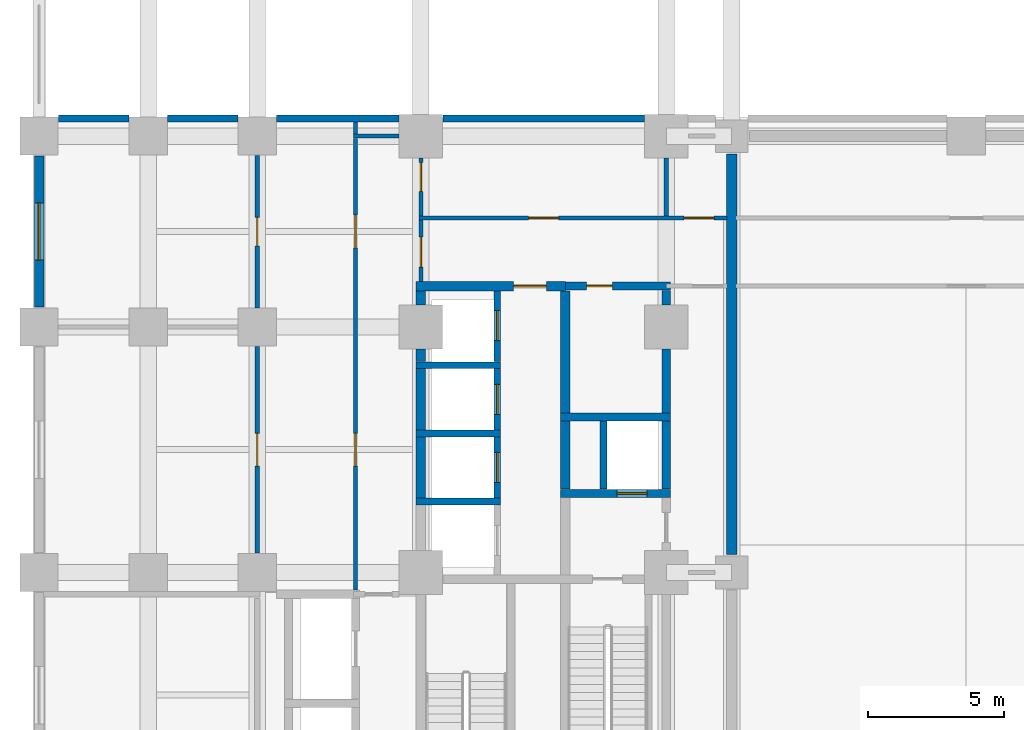
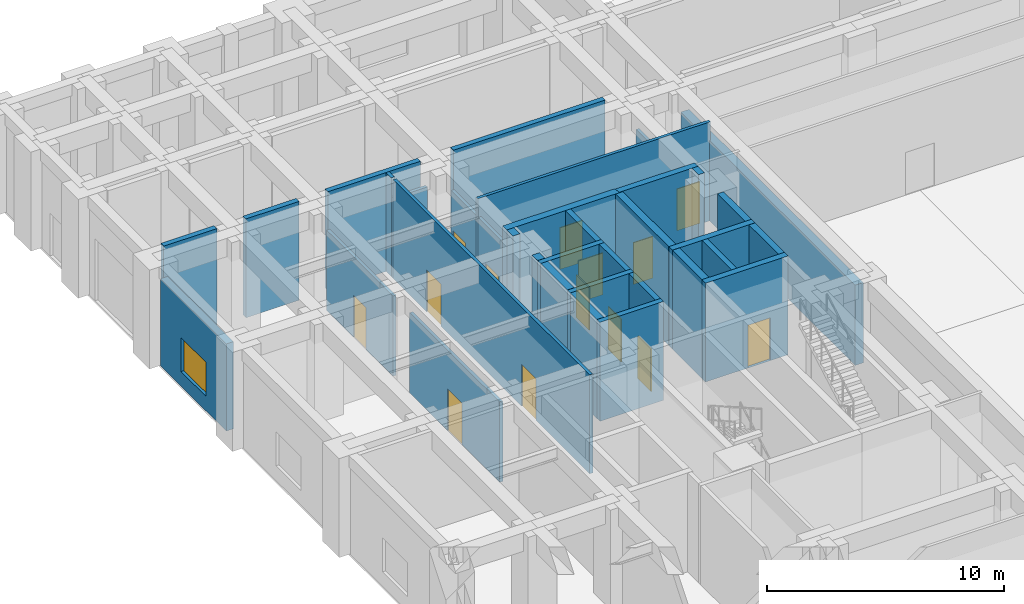
# One storey, part 9 of 20: 35 walls, 14 doors, 1 window, 15 openings.
"""IFC4 building model written with IfcOpenShell, lengths in metres."""

from ifc_helpers import new_model, si_unit, direction, frame, frame_2d, origin, place, context, subcontext, project, spatial, rectangle, extrude, material, layer, layer_set, type_object, element, fill, save


model = new_model("IFC4")

# Units and contexts
model_context = context("Model", 3, precision=1e-05, world=origin(), true_north=direction((0.0, 1.0)))
body_context = subcontext(model_context, "Body", "Model", "MODEL_VIEW")
ifc_project = project(units=[si_unit("LENGTHUNIT", "METRE"), si_unit("AREAUNIT", "SQUARE_METRE"), si_unit("VOLUMEUNIT", "CUBIC_METRE"), si_unit("PLANEANGLEUNIT", "RADIAN"), si_unit("MASSUNIT", "GRAM", prefix="KILO")], contexts=[model_context])

# Site, building, storey
site_placement = place(None, origin())
site = spatial("IfcSite", under=ifc_project, at=site_placement, CompositionType="ELEMENT")
building_placement = place(site_placement, origin())
building = spatial("IfcBuilding", under=site, at=building_placement, Name="Zulmaris Gate Convention Tower", CompositionType="ELEMENT")
storey_placement = place(building_placement, origin())
storey = spatial("IfcBuildingStorey", under=building, at=storey_placement, Name="L00", CompositionType="ELEMENT", Elevation=0.0)

# Walls
ifc_material_1 = material(Name="Concrete C50/60", Category="concrete")
ifc_layer_1 = layer(ifc_material_1, 0.25, Name="Concrete C50/60")
ifc_layer_set_1 = layer_set([ifc_layer_1], Name="Concrete C50/60")
wall_type_1 = type_object("IfcWallType", Name="CORE-250", PredefinedType="SOLIDWALL", material=ifc_layer_set_1)
for number, where, z_axis, x_axis, name in (
    (1, (-20.175048828125, 2.60009765625, 0.0), (0.0, 0.0, 1.0), (1.0, 0.0, 0.0), "WL-L00-016"),
    (2, (-20.175048828125, 5.10009765625, 0.0), (0.0, 0.0, 1.0), (1.0, 0.0, 0.0), "WL-L00-019"),
    (3, (-20.175048828125, 7.60009765625, 0.0), (0.0, 0.0, 1.0), (1.0, 0.0, 0.0), "WL-L00-022"),
):
    element("IfcWall", number, at=place(storey_placement, frame(where, z_axis=z_axis, x_axis=x_axis)), inside=storey, type_object=wall_type_1, Name=name, PredefinedType="SOLIDWALL", context=body_context, shape_type="SweptSolid", body=[
        extrude(rectangle(XDim=3.10009765625, YDim=0.25, at=frame_2d((1.550048828125, 0.0))), origin(), (0.0, 0.0, 1.0), 5.08984375),
    ])
for number, where, z_axis, x_axis, name in (
    (4, (-33.2958984375, 16.64990234375, 0.0), (0.0, 0.0, 1.0), (1.0, 0.0, 0.0), "WL-L00-027"),
    (5, (-29.2958984375, 16.64990234375, 0.0), (0.0, 0.0, 1.0), (1.0, 0.0, 0.0), "WL-L00-027S1"),
):
    element("IfcWall", number, at=place(storey_placement, frame(where, z_axis=z_axis, x_axis=x_axis)), inside=storey, type_object=wall_type_1, Name=name, PredefinedType="SOLIDWALL", context=body_context, shape_type="SweptSolid", body=[
        extrude(rectangle(XDim=2.591796875, YDim=0.25, at=frame_2d((1.2958984375, 0.0))), origin(), (0.0, 0.0, 1.0), 5.08984375),
    ])
wall_1_placement = place(storey_placement, frame((-25.2958984375, 16.64990234375, 0.0), z_axis=(0.0, 0.0, 1.0), x_axis=(1.0, 0.0, 0.0)))
element("IfcWall", 6, at=wall_1_placement, inside=storey, type_object=wall_type_1, Name="WL-L00-027S2", PredefinedType="SOLIDWALL", context=body_context, shape_type="SweptSolid", body=[
    extrude(rectangle(XDim=4.491943359375, YDim=0.25, at=frame_2d((2.24609375, 0.0))), origin(), (0.0, 0.0, 1.0), 5.08984375),
])
wall_2_placement = place(storey_placement, frame((-19.196044921875, 16.64990234375, 0.0), z_axis=(0.0, 0.0, 1.0), x_axis=(1.0, 0.0, 0.0)))
element("IfcWall", 7, at=wall_2_placement, inside=storey, type_object=wall_type_1, Name="WL-L00-027S3", PredefinedType="SOLIDWALL", context=body_context, shape_type="SweptSolid", body=[
    extrude(rectangle(XDim=7.39208984375, YDim=0.25, at=frame_2d((3.696044921875, 0.0))), origin(), (0.0, 0.0, 1.0), 5.08984375),
])

# Wall, opening, door
wall_3_placement = place(storey_placement, frame((-17.199951171875, 2.72705078125, 0.0), z_axis=(0.0, 0.0, 1.0), x_axis=(0.0, 1.0, 0.0)))
wall_3 = element("IfcWall", 8, at=wall_3_placement, inside=storey, type_object=wall_type_1, Name="WL-L00-076", PredefinedType="SOLIDWALL", context=body_context, shape_type="SweptSolid", body=[
    extrude(rectangle(XDim=2.245849609375, YDim=0.25, at=frame_2d((1.123046875, 0.0))), origin(), (0.0, 0.0, 1.0), 5.08984375),
])
opening_1_placement = place(wall_3_placement, frame((0.572998046875, 0.0, 0.0)))
opening_1 = element("IfcOpeningElement", 9, at=opening_1_placement, cuts=wall_3, Name="Opening D-06", PredefinedType="OPENING", context=body_context, shape_type="SweptSolid", body=[
    extrude(rectangle(XDim=1.10009765625, YDim=2.199951171875, at=frame_2d((0.550048828125, 1.10009765625))), frame((0.0, 0.135009765625, 0.0), z_axis=(0.0, -1.0, 0.0), x_axis=(1.0, 0.0, 0.0)), (0.0, 0.0, 1.0), 0.27001953125),
])
ifc_material_2 = material(Name="Brushed Stainless Steel", Category="steel")
door_type_1 = type_object("IfcDoorType", Name="LD-1100", OperationType="NOTDEFINED", PredefinedType="DOOR", material=ifc_material_2)
door_1_placement = place(opening_1_placement, origin())
door_1 = element("IfcDoor", 10, at=door_1_placement, inside=storey, type_object=door_type_1, Name="L00 Lift Landing Door LP-02 13", OperationType="SLIDING_TO_LEFT", OverallHeight=2.199951171875, OverallWidth=1.10009765625, PredefinedType="DOOR", context=body_context, shape_type="SweptSolid", body=[
    extrude(rectangle(XDim=1.10009765625, YDim=2.199951171875, at=frame_2d((0.550048828125, 1.10009765625))), frame((0.0, 0.02490234375, 0.0), z_axis=(0.0, -1.0, 0.0), x_axis=(1.0, 0.0, 0.0)), (0.0, 0.0, 1.0), 0.050048828125),
])
fill(opening_1, door_1)

wall_4_placement = place(storey_placement, frame((-17.199951171875, 5.22705078125, 0.0), z_axis=(0.0, 0.0, 1.0), x_axis=(0.0, 1.0, 0.0)))
wall_4 = element("IfcWall", 11, at=wall_4_placement, inside=storey, type_object=wall_type_1, Name="WL-L00-077", PredefinedType="SOLIDWALL", context=body_context, shape_type="SweptSolid", body=[
    extrude(rectangle(XDim=2.245849609375, YDim=0.25, at=frame_2d((1.123046875, 0.0))), origin(), (0.0, 0.0, 1.0), 5.08984375),
])
opening_2_placement = place(wall_4_placement, frame((0.572998046875, 0.0, 0.0)))
opening_2 = element("IfcOpeningElement", 12, at=opening_2_placement, cuts=wall_4, Name="Opening D-06", PredefinedType="OPENING", context=body_context, shape_type="SweptSolid", body=[
    extrude(rectangle(XDim=1.10009765625, YDim=2.199951171875, at=frame_2d((0.550048828125, 1.10009765625))), frame((0.0, 0.135009765625, 0.0), z_axis=(0.0, -1.0, 0.0), x_axis=(1.0, 0.0, 0.0)), (0.0, 0.0, 1.0), 0.27001953125),
])
door_2_placement = place(opening_2_placement, origin())
door_2 = element("IfcDoor", 13, at=door_2_placement, inside=storey, type_object=door_type_1, Name="L00 Lift Landing Door LP-03 14", OperationType="SLIDING_TO_LEFT", OverallHeight=2.199951171875, OverallWidth=1.10009765625, PredefinedType="DOOR", context=body_context, shape_type="SweptSolid", body=[
    extrude(rectangle(XDim=1.10009765625, YDim=2.199951171875, at=frame_2d((0.550048828125, 1.10009765625))), frame((0.0, 0.02490234375, 0.0), z_axis=(0.0, -1.0, 0.0), x_axis=(1.0, 0.0, 0.0)), (0.0, 0.0, 1.0), 0.050048828125),
])
fill(opening_2, door_2)

wall_5_placement = place(storey_placement, frame((-17.199951171875, 7.72705078125, 0.0), z_axis=(0.0, 0.0, 1.0), x_axis=(0.0, 1.0, 0.0)))
wall_5 = element("IfcWall", 14, at=wall_5_placement, inside=storey, type_object=wall_type_1, Name="WL-L00-078", PredefinedType="SOLIDWALL", context=body_context, shape_type="SweptSolid", body=[
    extrude(rectangle(XDim=2.595947265625, YDim=0.25, at=frame_2d((1.2978515625, 0.0))), origin(), (0.0, 0.0, 1.0), 5.08984375),
])
opening_3_placement = place(wall_5_placement, frame((0.77294921875, 0.0, 0.0)))
opening_3 = element("IfcOpeningElement", 15, at=opening_3_placement, cuts=wall_5, Name="Opening D-06", PredefinedType="OPENING", context=body_context, shape_type="SweptSolid", body=[
    extrude(rectangle(XDim=1.10009765625, YDim=2.199951171875, at=frame_2d((0.550048828125, 1.10009765625))), frame((0.0, 0.135009765625, 0.0), z_axis=(0.0, -1.0, 0.0), x_axis=(1.0, 0.0, 0.0)), (0.0, 0.0, 1.0), 0.27001953125),
])
door_3_placement = place(opening_3_placement, origin())
door_3 = element("IfcDoor", 16, at=door_3_placement, inside=storey, type_object=door_type_1, Name="L00 Lift Landing Door LP-04 15", OperationType="SLIDING_TO_LEFT", OverallHeight=2.199951171875, OverallWidth=1.10009765625, PredefinedType="DOOR", context=body_context, shape_type="SweptSolid", body=[
    extrude(rectangle(XDim=1.10009765625, YDim=2.199951171875, at=frame_2d((0.550048828125, 1.10009765625))), frame((0.0, 0.02490234375, 0.0), z_axis=(0.0, -1.0, 0.0), x_axis=(1.0, 0.0, 0.0)), (0.0, 0.0, 1.0), 0.050048828125),
])
fill(opening_3, door_3)

# Wall
wall_6_placement = place(storey_placement, frame((-13.300048828125, 3.052001953125, 0.0), z_axis=(0.0, 0.0, 1.0), x_axis=(0.0, 1.0, 0.0)))
element("IfcWall", 17, at=wall_6_placement, inside=storey, type_object=wall_type_1, Name="WL-L00-084", PredefinedType="SOLIDWALL", context=body_context, shape_type="SweptSolid", body=[
    extrude(rectangle(XDim=2.49609375, YDim=0.25, at=frame_2d((1.248046875, 0.0))), origin(), (0.0, 0.0, 1.0), 5.08984375),
])

# Wall, opening, door
ifc_layer_2 = layer(ifc_material_1, 0.300048828125, Name="Concrete C50/60")
ifc_layer_set_2 = layer_set([ifc_layer_2], Name="Concrete C50/60")
wall_type_2 = type_object("IfcWallType", Name="CORE-300", PredefinedType="SHEAR", material=ifc_layer_set_2)
wall_7_placement = place(storey_placement, frame((-14.875, 2.89990234375, 0.0), z_axis=(0.0, 0.0, 1.0), x_axis=(1.0, 0.0, 0.0)))
wall_7 = element("IfcWall", 18, at=wall_7_placement, inside=storey, type_object=wall_type_2, Name="WL-L00-017", PredefinedType="SHEAR", context=body_context, shape_type="SweptSolid", body=[
    extrude(rectangle(XDim=4.02490234375, YDim=0.300048828125, at=frame_2d((2.012451171875, 0.0))), origin(), (0.0, 0.0, 1.0), 5.08984375),
])
opening_4_placement = place(wall_7_placement, frame((2.074951171875, 0.0, 0.0)))
opening_4 = element("IfcOpeningElement", 19, at=opening_4_placement, cuts=wall_7, Name="Opening D-06", PredefinedType="OPENING", context=body_context, shape_type="SweptSolid", body=[
    extrude(rectangle(XDim=1.10009765625, YDim=2.199951171875, at=frame_2d((0.550048828125, 1.10009765625))), frame((0.0, 0.16015625, 0.0), z_axis=(0.0, -1.0, 0.0), x_axis=(1.0, 0.0, 0.0)), (0.0, 0.0, 1.0), 0.320068359375),
])
door_4_placement = place(opening_4_placement, origin())
door_4 = element("IfcDoor", 20, at=door_4_placement, inside=storey, type_object=door_type_1, Name="L00 Lift Landing Door LF-01 03", OperationType="SLIDING_TO_LEFT", OverallHeight=2.199951171875, OverallWidth=1.10009765625, PredefinedType="DOOR", context=body_context, shape_type="SweptSolid", body=[
    extrude(rectangle(XDim=1.10009765625, YDim=2.199951171875, at=frame_2d((0.550048828125, 1.10009765625))), frame((0.0, 0.02490234375, 0.0), z_axis=(0.0, -1.0, 0.0), x_axis=(1.0, 0.0, 0.0)), (0.0, 0.0, 1.0), 0.050048828125),
])
fill(opening_4, door_4)

# Wall
wall_8_placement = place(storey_placement, frame((-14.875, 5.699951171875, 0.0), z_axis=(0.0, 0.0, 1.0), x_axis=(1.0, 0.0, 0.0)))
element("IfcWall", 21, at=wall_8_placement, inside=storey, type_object=wall_type_2, Name="WL-L00-020", PredefinedType="SHEAR", context=body_context, shape_type="SweptSolid", body=[
    extrude(rectangle(XDim=4.02490234375, YDim=0.300048828125, at=frame_2d((2.012451171875, 0.0))), origin(), (0.0, 0.0, 1.0), 5.08984375),
])

# Wall, opening, door
wall_9_placement = place(storey_placement, frame((-14.699951171875, 10.5, 0.0), z_axis=(0.0, 0.0, 1.0), x_axis=(1.0, 0.0, 0.0)))
wall_9 = element("IfcWall", 22, at=wall_9_placement, inside=storey, type_object=wall_type_2, Name="WL-L00-024", PredefinedType="SHEAR", context=body_context, shape_type="SweptSolid", body=[
    extrude(rectangle(XDim=3.849853515625, YDim=0.300048828125, at=frame_2d((1.9248046875, 0.0))), origin(), (0.0, 0.0, 1.0), 5.08984375),
])
opening_5_placement = place(wall_9_placement, frame((0.77490234375, 0.0, 0.0)))
opening_5 = element("IfcOpeningElement", 23, at=opening_5_placement, cuts=wall_9, Name="Opening D-11", PredefinedType="OPENING", context=body_context, shape_type="SweptSolid", body=[
    extrude(rectangle(XDim=0.949951171875, YDim=2.14990234375, at=frame_2d((0.47509765625, 1.074951171875))), frame((0.0, 0.16015625, 0.0), z_axis=(0.0, -1.0, 0.0), x_axis=(1.0, 0.0, 0.0)), (0.0, 0.0, 1.0), 0.320068359375),
])
ifc_material_3 = material(Name="Fire-Rated Timber", Category="wood")
door_type_2 = type_object("IfcDoorType", Name="DR-950-FD", OperationType="NOTDEFINED", PredefinedType="DOOR", material=ifc_material_3)
door_5_placement = place(opening_5_placement, origin())
door_5 = element("IfcDoor", 24, at=door_5_placement, inside=storey, type_object=door_type_2, Name="L00 Core Archive Door 07", OperationType="SINGLE_SWING_RIGHT", OverallHeight=2.14990234375, OverallWidth=0.949951171875, PredefinedType="DOOR", context=body_context, shape_type="SweptSolid", body=[
    extrude(rectangle(XDim=0.949951171875, YDim=2.14990234375, at=frame_2d((0.47509765625, 1.074951171875))), frame((0.0, 0.02490234375, 0.0), z_axis=(0.0, -1.0, 0.0), x_axis=(1.0, 0.0, 0.0)), (0.0, 0.0, 1.0), 0.050048828125),
])
fill(opening_5, door_5)

# Walls
wall_10_placement = place(storey_placement, frame((-11.0, 3.052001953125, 0.0), z_axis=(0.0, 0.0, 1.0), x_axis=(0.0, 1.0, 0.0)))
element("IfcWall", 25, at=wall_10_placement, inside=storey, type_object=wall_type_2, Name="WL-L00-088", PredefinedType="SHEAR", context=body_context, shape_type="SweptSolid", body=[
    extrude(rectangle(XDim=2.49609375, YDim=0.300048828125, at=frame_2d((1.248046875, 0.0))), origin(), (0.0, 0.0, 1.0), 5.08984375),
])
wall_11_placement = place(storey_placement, frame((-11.0, 5.85205078125, 0.0), z_axis=(0.0, 0.0, 1.0), x_axis=(0.0, 1.0, 0.0)))
element("IfcWall", 26, at=wall_11_placement, inside=storey, type_object=wall_type_2, Name="WL-L00-089", PredefinedType="SHEAR", context=body_context, shape_type="SweptSolid", body=[
    extrude(rectangle(XDim=2.343994140625, YDim=0.300048828125, at=frame_2d((1.171875, 0.0))), origin(), (0.0, 0.0, 1.0), 5.08984375),
])
wall_12_placement = place(storey_placement, frame((-11.0, 9.803955078125, 0.0), z_axis=(0.0, 0.0, 1.0), x_axis=(0.0, 1.0, 0.0)))
element("IfcWall", 27, at=wall_12_placement, inside=storey, type_object=wall_type_2, Name="WL-L00-089S1", PredefinedType="SHEAR", context=body_context, shape_type="SweptSolid", body=[
    extrude(rectangle(XDim=0.5439453125, YDim=0.300048828125, at=frame_2d((0.27197265625, 0.0))), origin(), (0.0, 0.0, 1.0), 5.08984375),
])

# Wall, opening, door
ifc_material_4 = material(Name="Concrete C55/67", Category="concrete")
ifc_layer_3 = layer(ifc_material_4, 0.35009765625, Name="Concrete C55/67")
ifc_layer_set_3 = layer_set([ifc_layer_3], Name="Concrete C55/67")
wall_type_3 = type_object("IfcWallType", Name="CORE-350", PredefinedType="SHEAR", material=ifc_layer_set_3)
wall_13_placement = place(storey_placement, frame((-20.175048828125, 10.5, 0.0), z_axis=(0.0, 0.0, 1.0), x_axis=(1.0, 0.0, 0.0)))
wall_13 = element("IfcWall", 28, at=wall_13_placement, inside=storey, type_object=wall_type_3, Name="WL-L00-023", PredefinedType="SHEAR", context=body_context, shape_type="SweptSolid", body=[
    extrude(rectangle(XDim=5.47509765625, YDim=0.35009765625, at=frame_2d((2.737548828125, 0.0))), origin(), (0.0, 0.0, 1.0), 5.08984375),
])
opening_6_placement = place(wall_13_placement, frame((3.574951171875, 0.0, 0.0)))
opening_6 = element("IfcOpeningElement", 29, at=opening_6_placement, cuts=wall_13, Name="Opening D-13", PredefinedType="OPENING", context=body_context, shape_type="SweptSolid", body=[
    extrude(rectangle(XDim=1.199951171875, YDim=2.14990234375, at=frame_2d((0.60009765625, 1.074951171875))), frame((0.0, 0.18505859375, 0.0), z_axis=(0.0, -1.0, 0.0), x_axis=(1.0, 0.0, 0.0)), (0.0, 0.0, 1.0), 0.3701171875),
])
ifc_material_5 = material(Name="Fire-Rated Steel", Category="steel")
door_type_3 = type_object("IfcDoorType", Name="DR-1200-FD", OperationType="NOTDEFINED", PredefinedType="DOOR", material=ifc_material_5)
door_6_placement = place(opening_6_placement, origin())
door_6 = element("IfcDoor", 30, at=door_6_placement, inside=storey, type_object=door_type_3, Name="L00 Low-Rise Lift Lobby Door 11", OperationType="SINGLE_SWING_RIGHT", OverallHeight=2.14990234375, OverallWidth=1.199951171875, PredefinedType="DOOR", context=body_context, shape_type="SweptSolid", body=[
    extrude(rectangle(XDim=1.199951171875, YDim=2.14990234375, at=frame_2d((0.60009765625, 1.074951171875))), frame((0.0, 0.02490234375, 0.0), z_axis=(0.0, -1.0, 0.0), x_axis=(1.0, 0.0, 0.0)), (0.0, 0.0, 1.0), 0.050048828125),
])
fill(opening_6, door_6)

# Walls
for number, where, z_axis, x_axis, name in (
    (31, (-20.0, 2.72705078125, 0.0), (0.0, 0.0, 1.0), (0.0, 1.0, 0.0), "WL-L00-072"),
    (32, (-20.0, 5.22705078125, 0.0), (0.0, 0.0, 1.0), (0.0, 1.0, 0.0), "WL-L00-073"),
):
    element("IfcWall", number, at=place(storey_placement, frame(where, z_axis=z_axis, x_axis=x_axis)), inside=storey, type_object=wall_type_3, Name=name, PredefinedType="SHEAR", context=body_context, shape_type="SweptSolid", body=[
        extrude(rectangle(XDim=2.245849609375, YDim=0.35009765625, at=frame_2d((1.123046875, 0.0))), origin(), (0.0, 0.0, 1.0), 5.08984375),
    ])
wall_14_placement = place(storey_placement, frame((-20.0, 7.72705078125, 0.0), z_axis=(0.0, 0.0, 1.0), x_axis=(0.0, 1.0, 0.0)))
element("IfcWall", 33, at=wall_14_placement, inside=storey, type_object=wall_type_3, Name="WL-L00-074", PredefinedType="SHEAR", context=body_context, shape_type="SweptSolid", body=[
    extrude(rectangle(XDim=0.468994140625, YDim=0.35009765625, at=frame_2d((0.234375, 0.0))), origin(), (0.0, 0.0, 1.0), 5.08984375),
])
wall_15_placement = place(storey_placement, frame((-20.0, 9.803955078125, 0.0), z_axis=(0.0, 0.0, 1.0), x_axis=(0.0, 1.0, 0.0)))
element("IfcWall", 34, at=wall_15_placement, inside=storey, type_object=wall_type_3, Name="WL-L00-074S1", PredefinedType="SHEAR", context=body_context, shape_type="SweptSolid", body=[
    extrude(rectangle(XDim=0.51904296875, YDim=0.35009765625, at=frame_2d((0.259521484375, 0.0))), origin(), (0.0, 0.0, 1.0), 5.08984375),
])
wall_16_placement = place(storey_placement, frame((-14.699951171875, 3.052001953125, 0.0), z_axis=(0.0, 0.0, 1.0), x_axis=(0.0, 1.0, 0.0)))
element("IfcWall", 35, at=wall_16_placement, inside=storey, type_object=wall_type_3, Name="WL-L00-082", PredefinedType="SHEAR", context=body_context, shape_type="SweptSolid", body=[
    extrude(rectangle(XDim=2.49609375, YDim=0.35009765625, at=frame_2d((1.248046875, 0.0))), origin(), (0.0, 0.0, 1.0), 5.08984375),
])
wall_17_placement = place(storey_placement, frame((-14.699951171875, 5.85205078125, 0.0), z_axis=(0.0, 0.0, 1.0), x_axis=(0.0, 1.0, 0.0)))
element("IfcWall", 36, at=wall_17_placement, inside=storey, type_object=wall_type_3, Name="WL-L00-083", PredefinedType="SHEAR", context=body_context, shape_type="SweptSolid", body=[
    extrude(rectangle(XDim=4.470947265625, YDim=0.35009765625, at=frame_2d((2.2353515625, 0.0))), origin(), (0.0, 0.0, 1.0), 5.08984375),
])

# Wall, openings, doors
ifc_material_6 = material(Name="Gypsum Metal Stud Partition")
ifc_layer_4 = layer(ifc_material_6, 0.14990234375, Name="Gypsum Metal Stud Partition")
ifc_layer_set_4 = layer_set([ifc_layer_4], Name="Gypsum Metal Stud Partition")
wall_type_4 = type_object("IfcWallType", Name="PART-150", PredefinedType="PARTITIONING", material=ifc_layer_set_4)
wall_18_placement = place(storey_placement, frame((-20.074951171875, 13.0, 0.0), z_axis=(0.0, 0.0, 1.0), x_axis=(1.0, 0.0, 0.0)))
wall_18 = element("IfcWall", 37, at=wall_18_placement, inside=storey, type_object=wall_type_4, Name="WL-L00-057", PredefinedType="PARTITIONING", context=body_context, shape_type="SweptSolid", body=[
    extrude(rectangle(XDim=11.31005859375, YDim=0.14990234375, at=frame_2d((5.655029296875, 0.0))), origin(), (0.0, 0.0, 1.0), 5.08984375),
])
opening_7_placement = place(wall_18_placement, frame((4.02490234375, 0.0, 0.0)))
opening_7 = element("IfcOpeningElement", 38, at=opening_7_placement, cuts=wall_18, Name="Opening D-08", PredefinedType="OPENING", context=body_context, shape_type="SweptSolid", body=[
    extrude(rectangle(XDim=1.10009765625, YDim=2.14990234375, at=frame_2d((0.550048828125, 1.074951171875))), frame((0.0, 0.0849609375, 0.0), z_axis=(0.0, -1.0, 0.0), x_axis=(1.0, 0.0, 0.0)), (0.0, 0.0, 1.0), 0.169921875),
])
opening_8_placement = place(wall_18_placement, frame((9.72509765625, 0.0, 0.0)))
opening_8 = element("IfcOpeningElement", 39, at=opening_8_placement, cuts=wall_18, Name="Opening D-08", PredefinedType="OPENING", context=body_context, shape_type="SweptSolid", body=[
    extrude(rectangle(XDim=1.10009765625, YDim=2.14990234375, at=frame_2d((0.550048828125, 1.074951171875))), frame((0.0, 0.0849609375, 0.0), z_axis=(0.0, -1.0, 0.0), x_axis=(1.0, 0.0, 0.0)), (0.0, 0.0, 1.0), 0.169921875),
])
door_type_4 = type_object("IfcDoorType", Name="DR-1100-FD", OperationType="NOTDEFINED", PredefinedType="DOOR", material=ifc_material_5)
door_7_placement = place(opening_7_placement, origin())
door_7 = element("IfcDoor", 40, at=door_7_placement, inside=storey, type_object=door_type_4, Name="L00 NW Concourse Link Door 34", OperationType="SINGLE_SWING_LEFT", OverallHeight=2.14990234375, OverallWidth=1.10009765625, PredefinedType="DOOR", context=body_context, shape_type="SweptSolid", body=[
    extrude(rectangle(XDim=1.10009765625, YDim=2.14990234375, at=frame_2d((0.550048828125, 1.074951171875))), frame((0.0, 0.02490234375, 0.0), z_axis=(0.0, -1.0, 0.0), x_axis=(1.0, 0.0, 0.0)), (0.0, 0.0, 1.0), 0.050048828125),
])
fill(opening_7, door_7)
door_8_placement = place(opening_8_placement, origin())
door_8 = element("IfcDoor", 41, at=door_8_placement, inside=storey, type_object=door_type_4, Name="L00 West Spine North Door 37", OperationType="SINGLE_SWING_RIGHT", OverallHeight=2.14990234375, OverallWidth=1.10009765625, PredefinedType="DOOR", context=body_context, shape_type="SweptSolid", body=[
    extrude(rectangle(XDim=1.10009765625, YDim=2.14990234375, at=frame_2d((0.550048828125, 1.074951171875))), frame((0.0, 0.02490234375, 0.0), z_axis=(0.0, -1.0, 0.0), x_axis=(1.0, 0.0, 0.0)), (0.0, 0.0, 1.0), 0.050048828125),
])
fill(opening_8, door_8)

# Wall
wall_19_placement = place(storey_placement, frame((-22.47509765625, 16.0, 0.0), z_axis=(0.0, 0.0, 1.0), x_axis=(1.0, 0.0, 0.0)))
element("IfcWall", 42, at=wall_19_placement, inside=storey, type_object=wall_type_4, Name="WL-L00-061", PredefinedType="PARTITIONING", context=body_context, shape_type="SweptSolid", body=[
    extrude(rectangle(XDim=1.669189453125, YDim=0.14990234375, at=frame_2d((0.83447265625, 0.0))), origin(), (0.0, 0.0, 1.0), 4.1318359375),
])

# Wall, opening, door
wall_20_placement = place(storey_placement, frame((-26.0, 0.7060546875, 0.0), z_axis=(0.0, 0.0, 1.0), x_axis=(0.0, 1.0, 0.0)))
wall_20 = element("IfcWall", 43, at=wall_20_placement, inside=storey, type_object=wall_type_4, Name="WL-L00-111", PredefinedType="PARTITIONING", context=body_context, shape_type="SweptSolid", body=[
    extrude(rectangle(XDim=7.587890625, YDim=0.14990234375, at=frame_2d((3.7939453125, 0.0))), origin(), (0.0, 0.0, 1.0), 4.1318359375),
])
opening_9_placement = place(wall_20_placement, frame((3.194091796875, 0.0, 0.0)))
opening_9 = element("IfcOpeningElement", 44, at=opening_9_placement, cuts=wall_20, Name="Opening D-22", PredefinedType="OPENING", context=body_context, shape_type="SweptSolid", body=[
    extrude(rectangle(XDim=1.199951171875, YDim=2.14990234375, at=frame_2d((0.60009765625, 1.074951171875))), frame((0.0, 0.0849609375, 0.0), z_axis=(0.0, -1.0, 0.0), x_axis=(1.0, 0.0, 0.0)), (0.0, 0.0, 1.0), 0.169921875),
])
ifc_material_7 = material(Name="Glazed Anodised Aluminium", Category="aluminium")
door_type_5 = type_object("IfcDoorType", Name="DR-1200", OperationType="NOTDEFINED", PredefinedType="DOOR", material=ifc_material_7)
door_9_placement = place(opening_9_placement, origin())
door_9 = element("IfcDoor", 45, at=door_9_placement, inside=storey, type_object=door_type_5, Name="L00 Cafe Dining Hall Door 60", OperationType="SINGLE_SWING_LEFT", OverallHeight=2.14990234375, OverallWidth=1.199951171875, PredefinedType="DOOR", context=body_context, shape_type="SweptSolid", body=[
    extrude(rectangle(XDim=1.199951171875, YDim=2.14990234375, at=frame_2d((0.60009765625, 1.074951171875))), frame((0.0, 0.02490234375, 0.0), z_axis=(0.0, -1.0, 0.0), x_axis=(1.0, 0.0, 0.0)), (0.0, 0.0, 1.0), 0.050048828125),
])
fill(opening_9, door_9)

wall_21_placement = place(storey_placement, frame((-26.0, 9.7060546875, 0.0), z_axis=(0.0, 0.0, 1.0), x_axis=(0.0, 1.0, 0.0)))
wall_21 = element("IfcWall", 46, at=wall_21_placement, inside=storey, type_object=wall_type_4, Name="WL-L00-112", PredefinedType="PARTITIONING", context=body_context, shape_type="SweptSolid", body=[
    extrude(rectangle(XDim=5.587890625, YDim=0.14990234375, at=frame_2d((2.7939453125, 0.0))), origin(), (0.0, 0.0, 1.0), 4.1318359375),
])
opening_10_placement = place(wall_21_placement, frame((2.26904296875, 0.0, 0.0)))
opening_10 = element("IfcOpeningElement", 47, at=opening_10_placement, cuts=wall_21, Name="Opening D-20", PredefinedType="OPENING", context=body_context, shape_type="SweptSolid", body=[
    extrude(rectangle(XDim=1.050048828125, YDim=2.14990234375, at=frame_2d((0.52490234375, 1.074951171875))), frame((0.0, 0.0849609375, 0.0), z_axis=(0.0, -1.0, 0.0), x_axis=(1.0, 0.0, 0.0)), (0.0, 0.0, 1.0), 0.169921875),
])
ifc_material_8 = material(Name="Acoustic Hardwood Timber", Category="wood")
door_type_6 = type_object("IfcDoorType", Name="DR-1050", OperationType="NOTDEFINED", PredefinedType="DOOR", material=ifc_material_8)
door_10_placement = place(opening_10_placement, origin())
door_10 = element("IfcDoor", 48, at=door_10_placement, inside=storey, type_object=door_type_6, Name="L00 Bakery Kitchen Door 61", OperationType="SINGLE_SWING_RIGHT", OverallHeight=2.14990234375, OverallWidth=1.050048828125, PredefinedType="DOOR", context=body_context, shape_type="SweptSolid", body=[
    extrude(rectangle(XDim=1.050048828125, YDim=2.14990234375, at=frame_2d((0.52490234375, 1.074951171875))), frame((0.0, 0.02490234375, 0.0), z_axis=(0.0, -1.0, 0.0), x_axis=(1.0, 0.0, 0.0)), (0.0, 0.0, 1.0), 0.050048828125),
])
fill(opening_10, door_10)

# Wall, openings, doors
wall_22_placement = place(storey_placement, frame((-22.39990234375, -0.64697265625, 0.0), z_axis=(0.0, 0.0, 1.0), x_axis=(0.0, 1.0, 0.0)))
wall_22 = element("IfcWall", 49, at=wall_22_placement, inside=storey, type_object=wall_type_4, Name="WL-L00-115", PredefinedType="PARTITIONING", context=body_context, shape_type="SweptSolid", body=[
    extrude(rectangle(XDim=16.569091796875, YDim=0.14990234375, at=frame_2d((8.28466796875, 0.0))), origin(), (0.0, 0.0, 1.0), 5.08984375),
])
opening_11_placement = place(wall_22_placement, frame((4.547119140625, 0.0, 0.0)))
opening_11 = element("IfcOpeningElement", 50, at=opening_11_placement, cuts=wall_22, Name="Opening D-13", PredefinedType="OPENING", context=body_context, shape_type="SweptSolid", body=[
    extrude(rectangle(XDim=1.199951171875, YDim=2.14990234375, at=frame_2d((0.60009765625, 1.074951171875))), frame((0.0, 0.0849609375, 0.0), z_axis=(0.0, -1.0, 0.0), x_axis=(1.0, 0.0, 0.0)), (0.0, 0.0, 1.0), 0.169921875),
])
opening_12_placement = place(wall_22_placement, frame((12.547119140625, 0.0, 0.0)))
opening_12 = element("IfcOpeningElement", 51, at=opening_12_placement, cuts=wall_22, Name="Opening D-13", PredefinedType="OPENING", context=body_context, shape_type="SweptSolid", body=[
    extrude(rectangle(XDim=1.199951171875, YDim=2.14990234375, at=frame_2d((0.60009765625, 1.074951171875))), frame((0.0, 0.0849609375, 0.0), z_axis=(0.0, -1.0, 0.0), x_axis=(1.0, 0.0, 0.0)), (0.0, 0.0, 1.0), 0.169921875),
])
door_11_placement = place(opening_11_placement, origin())
door_11 = element("IfcDoor", 52, at=door_11_placement, inside=storey, type_object=door_type_3, Name="L00 Cafe Promenade South Door 58", OperationType="SINGLE_SWING_LEFT", OverallHeight=2.14990234375, OverallWidth=1.199951171875, PredefinedType="DOOR", context=body_context, shape_type="SweptSolid", body=[
    extrude(rectangle(XDim=1.199951171875, YDim=2.14990234375, at=frame_2d((0.60009765625, 1.074951171875))), frame((0.0, 0.02490234375, 0.0), z_axis=(0.0, -1.0, 0.0), x_axis=(1.0, 0.0, 0.0)), (0.0, 0.0, 1.0), 0.050048828125),
])
fill(opening_11, door_11)
door_12_placement = place(opening_12_placement, origin())
door_12 = element("IfcDoor", 53, at=door_12_placement, inside=storey, type_object=door_type_3, Name="L00 Cafe Promenade North Door 59", OperationType="SINGLE_SWING_RIGHT", OverallHeight=2.14990234375, OverallWidth=1.199951171875, PredefinedType="DOOR", context=body_context, shape_type="SweptSolid", body=[
    extrude(rectangle(XDim=1.199951171875, YDim=2.14990234375, at=frame_2d((0.60009765625, 1.074951171875))), frame((0.0, 0.02490234375, 0.0), z_axis=(0.0, -1.0, 0.0), x_axis=(1.0, 0.0, 0.0)), (0.0, 0.0, 1.0), 0.050048828125),
])
fill(opening_12, door_12)

# Wall
wall_23_placement = place(storey_placement, frame((-22.39990234375, 16.077880859375, 0.0), z_axis=(0.0, 0.0, 1.0), x_axis=(0.0, 1.0, 0.0)))
element("IfcWall", 54, at=wall_23_placement, inside=storey, type_object=wall_type_4, Name="WL-L00-116", PredefinedType="PARTITIONING", context=body_context, shape_type="SweptSolid", body=[
    extrude(rectangle(XDim=0.444091796875, YDim=0.14990234375, at=frame_2d((0.22216796875, 0.0))), origin(), (0.0, 0.0, 1.0), 5.08984375),
])

# Wall, opening, door
wall_24_placement = place(storey_placement, frame((-20.0, 10.677978515625, 0.0), z_axis=(0.0, 0.0, 1.0), x_axis=(0.0, 1.0, 0.0)))
wall_24 = element("IfcWall", 55, at=wall_24_placement, inside=storey, type_object=wall_type_4, Name="WL-L00-119", PredefinedType="PARTITIONING", context=body_context, shape_type="SweptSolid", body=[
    extrude(rectangle(XDim=2.244140625, YDim=0.14990234375, at=frame_2d((1.1220703125, 0.0))), origin(), (0.0, 0.0, 1.0), 4.1318359375),
])
opening_13_placement = place(wall_24_placement, frame((0.52197265625, 0.0, 0.0)))
opening_13 = element("IfcOpeningElement", 56, at=opening_13_placement, cuts=wall_24, Name="Opening D-08", PredefinedType="OPENING", context=body_context, shape_type="SweptSolid", body=[
    extrude(rectangle(XDim=1.10009765625, YDim=2.14990234375, at=frame_2d((0.550048828125, 1.074951171875))), frame((0.0, 0.0849609375, 0.0), z_axis=(0.0, -1.0, 0.0), x_axis=(1.0, 0.0, 0.0)), (0.0, 0.0, 1.0), 0.169921875),
])
door_13_placement = place(opening_13_placement, origin())
door_13 = element("IfcDoor", 57, at=door_13_placement, inside=storey, type_object=door_type_4, Name="L00 West Passage North Door 43", OperationType="SINGLE_SWING_RIGHT", OverallHeight=2.14990234375, OverallWidth=1.10009765625, PredefinedType="DOOR", context=body_context, shape_type="SweptSolid", body=[
    extrude(rectangle(XDim=1.10009765625, YDim=2.14990234375, at=frame_2d((0.550048828125, 1.074951171875))), frame((0.0, 0.02490234375, 0.0), z_axis=(0.0, -1.0, 0.0), x_axis=(1.0, 0.0, 0.0)), (0.0, 0.0, 1.0), 0.050048828125),
])
fill(opening_13, door_13)

wall_25_placement = place(storey_placement, frame((-20.0, 13.077880859375, 0.0), z_axis=(0.0, 0.0, 1.0), x_axis=(0.0, 1.0, 0.0)))
wall_25 = element("IfcWall", 58, at=wall_25_placement, inside=storey, type_object=wall_type_4, Name="WL-L00-120", PredefinedType="PARTITIONING", context=body_context, shape_type="SweptSolid", body=[
    extrude(rectangle(XDim=2.1162109375, YDim=0.14990234375, at=frame_2d((1.05810546875, 0.0))), origin(), (0.0, 0.0, 1.0), 4.1318359375),
])
opening_14_placement = place(wall_25_placement, frame((0.89697265625, 0.0, 0.0)))
opening_14 = element("IfcOpeningElement", 59, at=opening_14_placement, cuts=wall_25, Name="Opening D-09", PredefinedType="OPENING", context=body_context, shape_type="SweptSolid", body=[
    extrude(rectangle(XDim=1.050048828125, YDim=2.14990234375, at=frame_2d((0.52490234375, 1.074951171875))), frame((0.0, 0.0849609375, 0.0), z_axis=(0.0, -1.0, 0.0), x_axis=(1.0, 0.0, 0.0)), (0.0, 0.0, 1.0), 0.169921875),
])
door_type_7 = type_object("IfcDoorType", Name="DR-1050-FD", OperationType="NOTDEFINED", PredefinedType="DOOR", material=ifc_material_5)
door_14_placement = place(opening_14_placement, origin())
door_14 = element("IfcDoor", 60, at=door_14_placement, inside=storey, type_object=door_type_7, Name="L00 West Concourse Link Door 35", OperationType="SINGLE_SWING_RIGHT", OverallHeight=2.14990234375, OverallWidth=1.050048828125, PredefinedType="DOOR", context=body_context, shape_type="SweptSolid", body=[
    extrude(rectangle(XDim=1.050048828125, YDim=2.14990234375, at=frame_2d((0.52490234375, 1.074951171875))), frame((0.0, 0.02490234375, 0.0), z_axis=(0.0, -1.0, 0.0), x_axis=(1.0, 0.0, 0.0)), (0.0, 0.0, 1.0), 0.050048828125),
])
fill(opening_14, door_14)

# Walls
wall_26_placement = place(storey_placement, frame((-11.0, 13.077880859375, 0.0), z_axis=(0.0, 0.0, 1.0), x_axis=(0.0, 1.0, 0.0)))
element("IfcWall", 61, at=wall_26_placement, inside=storey, type_object=wall_type_4, Name="WL-L00-123", PredefinedType="PARTITIONING", context=body_context, shape_type="SweptSolid", body=[
    extrude(rectangle(XDim=2.1162109375, YDim=0.14990234375, at=frame_2d((1.05810546875, 0.0))), origin(), (0.0, 0.0, 1.0), 4.1318359375),
])
ifc_material_9 = material(Name="Precast concrete C50/60", Category="concrete")
ifc_layer_5 = layer(ifc_material_9, 0.39990234375, Name="Precast concrete C50/60")
ifc_layer_set_5 = layer_set([ifc_layer_5], Name="Precast concrete C50/60")
wall_type_5 = type_object("IfcWallType", Name="PRECAST-ARCH-400", PredefinedType="STANDARD", material=ifc_layer_set_5)
wall_27_placement = place(storey_placement, frame((-8.60009765625, 0.64990234375, 0.0), z_axis=(0.0, 0.0, 1.0), x_axis=(0.0, 1.0, 0.0)))
element("IfcWall", 62, at=wall_27_placement, inside=storey, type_object=wall_type_5, Name="EW-L00-ARCH-WN_0", PredefinedType="STANDARD", context=body_context, shape_type="SweptSolid", body=[
    extrude(rectangle(XDim=14.7001953125, YDim=0.39990234375, at=frame_2d((7.35009765625, 0.0))), origin(), (0.0, 0.0, 1.0), 4.1318359375),
])

# Wall, opening, window
ifc_material_10 = material(Name="Precast concrete C45/55", Category="concrete")
ifc_layer_6 = layer(ifc_material_10, 0.35009765625, Name="Precast concrete C45/55")
ifc_layer_set_6 = layer_set([ifc_layer_6], Name="Precast concrete C45/55")
wall_type_6 = type_object("IfcWallType", Name="PRECAST-POD-350", PredefinedType="STANDARD", material=ifc_layer_set_6)
wall_28_placement = place(storey_placement, frame((-34.0, 9.72998046875, 0.0), z_axis=(0.0, 0.0, 1.0), x_axis=(0.0, 1.0, 0.0)))
wall_28 = element("IfcWall", 63, at=wall_28_placement, inside=storey, type_object=wall_type_6, Name="EW-L00-W-9_0", PredefinedType="STANDARD", context=body_context, shape_type="SweptSolid", body=[
    extrude(rectangle(XDim=5.5400390625, YDim=0.35009765625, at=frame_2d((2.77001953125, 0.0))), origin(), (0.0, 0.0, 1.0), 4.48193359375),
])
opening_15_placement = place(wall_28_placement, frame((1.719970703125, 0.0, 0.75)))
opening_15 = element("IfcOpeningElement", 64, at=opening_15_placement, cuts=wall_28, Name="Opening W-05", PredefinedType="OPENING", context=body_context, shape_type="SweptSolid", body=[
    extrude(rectangle(XDim=2.10009765625, YDim=1.75, at=frame_2d((1.050048828125, 0.875))), frame((0.0, 0.18505859375, 0.0), z_axis=(0.0, -1.0, 0.0), x_axis=(1.0, 0.0, 0.0)), (0.0, 0.0, 1.0), 0.3701171875),
])
ifc_material_11 = material(Name="Low-E Laminated Double Glazing in Aluminium Frame", Category="aluminium")
window_type = type_object("IfcWindowType", Name="WIN-2100x2400", PartitioningType="SINGLE_PANEL", PredefinedType="WINDOW", material=ifc_material_11)
window_placement = place(opening_15_placement, origin())
window = element("IfcWindow", 65, at=window_placement, inside=storey, type_object=window_type, Name="WN-EW-L00-W-9_0", OverallHeight=1.75, OverallWidth=2.10009765625, PartitioningType="SINGLE_PANEL", PredefinedType="WINDOW", context=body_context, shape_type="SweptSolid", body=[
    extrude(rectangle(XDim=2.10009765625, YDim=1.75, at=frame_2d((1.050048828125, 0.875))), frame((0.0, 0.030029296875, 0.0), z_axis=(0.0, -1.0, 0.0), x_axis=(1.0, 0.0, 0.0)), (0.0, 0.0, 1.0), 0.06005859375),
])
fill(opening_15, window)

save(model, "model.ifc")
